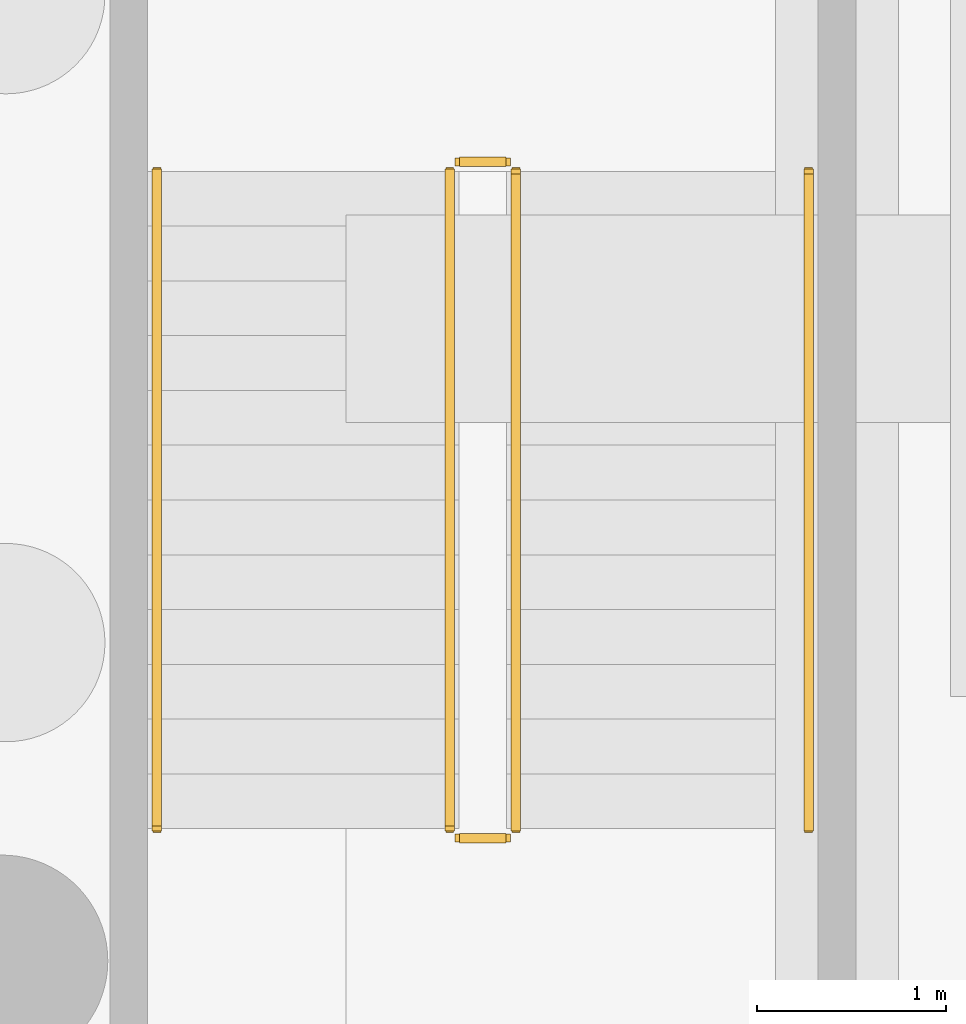
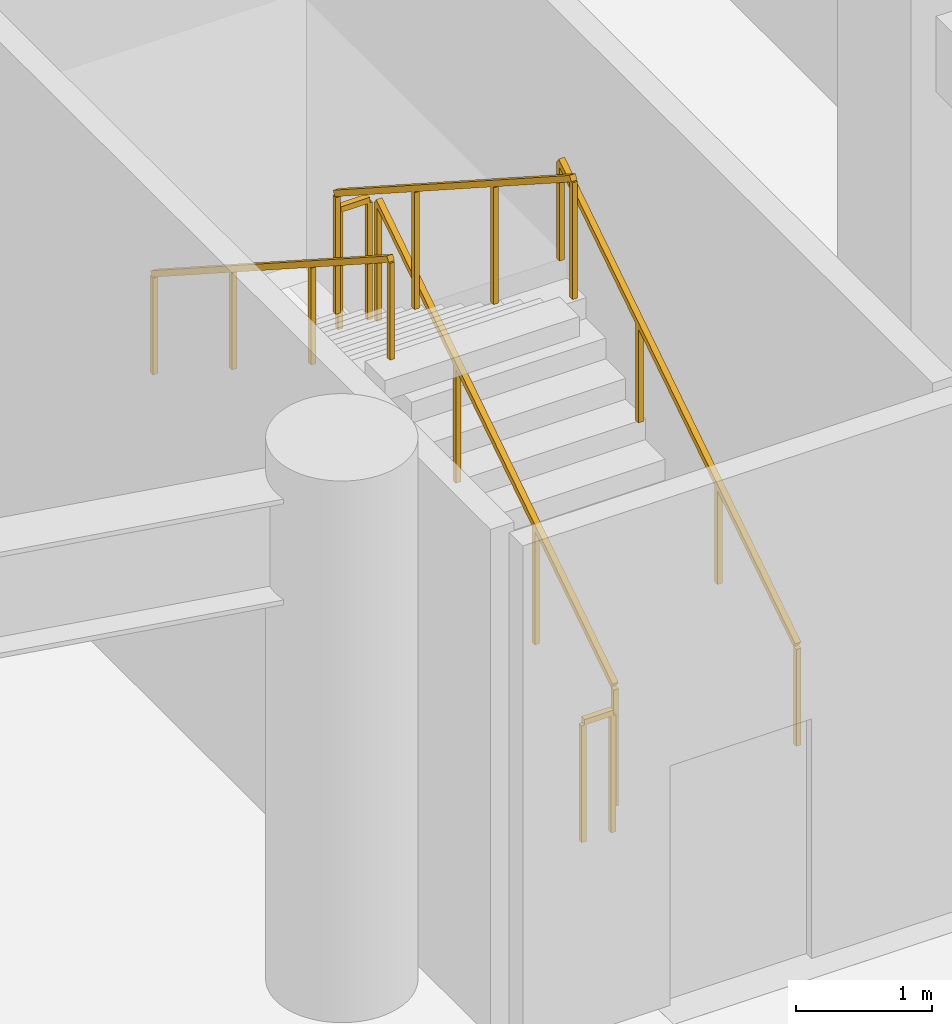
# One storey, part 10 of 11: 6 railings.
"""IFC4 building model written with IfcOpenShell, lengths in metres."""

from ifc_helpers import new_model, si_unit, derived_unit, direction, frame, origin, origin_2d, place, context, subcontext, project, spatial, rectangle, extrude, material, type_object, element, save


model = new_model("IFC4")

# Units and contexts
model_context = context("Model", 3, precision=1e-05, world=origin(), true_north=direction((0.0, 1.0)))
body_context = subcontext(model_context, "Body", "Model", "MODEL_VIEW")
ifc_project = project(units=[si_unit("LENGTHUNIT", "METRE"), si_unit("AREAUNIT", "SQUARE_METRE"), si_unit("VOLUMEUNIT", "CUBIC_METRE"), si_unit("PLANEANGLEUNIT", "RADIAN"), si_unit("MASSUNIT", "GRAM", prefix="KILO"), derived_unit("THERMALTRANSMITTANCEUNIT", [(si_unit("POWERUNIT", "WATT"), 1), (si_unit("LENGTHUNIT", "METRE"), -2), (si_unit("THERMODYNAMICTEMPERATUREUNIT", "KELVIN"), -1)])], contexts=[model_context])

# Site, building, storey
site_placement = place(None, origin())
site = spatial("IfcSite", under=ifc_project, at=site_placement, CompositionType="ELEMENT")
building_placement = place(site_placement, origin())
building = spatial("IfcBuilding", under=site, at=building_placement, Name="Koralith Skygarden Medical Center", CompositionType="ELEMENT")
storey_placement = place(building_placement, frame((0.0, 0.0, -9.719970703125)))
storey = spatial("IfcBuildingStorey", under=building, at=storey_placement, Name="B2", CompositionType="ELEMENT", Elevation=-9.719970703125)

# Railings
ifc_material = material(Name="Steel ASTM A500 Grade C", Category="steel")
railing_type_1 = type_object("IfcRailingType", Name="Stair Flight Tubular Handrail 920", PredefinedType="HANDRAIL", material=ifc_material)
railing_1_placement = place(storey_placement, frame((68.64990234375, 23.199951171875, 0.18701171875)))
element("IfcRailing", 1, at=railing_1_placement, inside=storey, type_object=railing_type_1, Name="B2 ST5 stair handrail 1", PredefinedType="HANDRAIL", context=body_context, shape_type="SweptSolid", body=[
    extrude(rectangle(XDim=0.050048828125, YDim=0.050048828125, at=origin_2d()), frame((0.0, 0.001708984375, 0.89599609375), z_axis=(0.0, 0.840541796355, 0.541746701495), x_axis=(-1.0, 0.0, 0.0)), (0.0, 0.0, 1.0), 4.13623046875),
    extrude(rectangle(XDim=0.0419921875, YDim=0.0419921875, at=origin_2d()), origin(), (0.0, 0.0, 1.0), 0.867919921875),
    extrude(rectangle(XDim=0.0419921875, YDim=0.0419921875, at=origin_2d()), frame((0.0, 1.159912109375, 0.74755859375)), (0.0, 0.0, 1.0), 0.867919921875),
    extrude(rectangle(XDim=0.0419921875, YDim=0.0419921875, at=origin_2d()), frame((0.0, 2.320068359375, 1.495361328125)), (0.0, 0.0, 1.0), 0.867919921875),
    extrude(rectangle(XDim=0.0419921875, YDim=0.0419921875, at=origin_2d()), frame((0.0, 3.47998046875, 2.242919921875)), (0.0, 0.0, 1.0), 0.867919921875),
])
railing_2_placement = place(storey_placement, frame((65.199951171875, 26.679931640625, 2.616943359375)))
element("IfcRailing", 2, at=railing_2_placement, inside=storey, type_object=railing_type_1, Name="B2 ST5 stair handrail 2", PredefinedType="HANDRAIL", context=body_context, shape_type="SweptSolid", body=[
    extrude(rectangle(XDim=0.050048828125, YDim=0.050048828125, at=origin_2d()), frame((0.0, -0.001708984375, 0.89599609375), z_axis=(0.0, -0.840541796355, 0.541746701495), x_axis=(1.0, 0.0, 0.0)), (0.0, 0.0, 1.0), 4.13623046875),
    extrude(rectangle(XDim=0.0419921875, YDim=0.0419921875, at=origin_2d()), origin(), (0.0, 0.0, 1.0), 0.867919921875),
    extrude(rectangle(XDim=0.0419921875, YDim=0.0419921875, at=origin_2d()), frame((0.0, -1.159912109375, 0.74755859375)), (0.0, 0.0, 1.0), 0.867919921875),
    extrude(rectangle(XDim=0.0419921875, YDim=0.0419921875, at=origin_2d()), frame((0.0, -2.320068359375, 1.495361328125)), (0.0, 0.0, 1.0), 0.867919921875),
    extrude(rectangle(XDim=0.0419921875, YDim=0.0419921875, at=origin_2d()), frame((0.0, -3.47998046875, 2.242919921875)), (0.0, 0.0, 1.0), 0.867919921875),
])
railing_type_2 = type_object("IfcRailingType", Name="Stair Well Safety Guardrail 1100", PredefinedType="GUARDRAIL", material=ifc_material)
railing_3_placement = place(storey_placement, frame((67.10009765625, 23.199951171875, 0.18701171875)))
element("IfcRailing", 3, at=railing_3_placement, inside=storey, type_object=railing_type_2, Name="B2 ST5 stair guard 1", PredefinedType="GUARDRAIL", context=body_context, shape_type="SweptSolid", body=[
    extrude(rectangle(XDim=0.050048828125, YDim=0.050048828125, at=origin_2d()), frame((0.0, 0.001708984375, 1.076171875), z_axis=(0.0, 0.840541796355, 0.541746701495), x_axis=(-1.0, 0.0, 0.0)), (0.0, 0.0, 1.0), 4.13623046875),
    extrude(rectangle(XDim=0.0419921875, YDim=0.0419921875, at=origin_2d()), origin(), (0.0, 0.0, 1.0), 1.048095703125),
    extrude(rectangle(XDim=0.0419921875, YDim=0.0419921875, at=origin_2d()), frame((0.0, 1.159912109375, 0.74755859375)), (0.0, 0.0, 1.0), 1.048095703125),
    extrude(rectangle(XDim=0.0419921875, YDim=0.0419921875, at=origin_2d()), frame((0.0, 2.320068359375, 1.495361328125)), (0.0, 0.0, 1.0), 1.048095703125),
    extrude(rectangle(XDim=0.0419921875, YDim=0.0419921875, at=origin_2d()), frame((0.0, 3.47998046875, 2.242919921875)), (0.0, 0.0, 1.0), 1.048095703125),
])
railing_4_placement = place(storey_placement, frame((67.050048828125, 26.72998046875, 2.429931640625)))
element("IfcRailing", 4, at=railing_4_placement, inside=storey, type_object=railing_type_2, Name="B2 ST5 stair guard 2", PredefinedType="GUARDRAIL", context=body_context, shape_type="SweptSolid", body=[
    extrude(rectangle(XDim=0.050048828125, YDim=0.050048828125, at=origin_2d()), frame((-0.001953125, 0.0, 1.0751953125), z_axis=(-1.0, 0.0, 0.0), x_axis=(0.0, -1.0, 0.0)), (0.0, 0.0, 1.0), 0.24609375),
    extrude(rectangle(XDim=0.0419921875, YDim=0.0419921875, at=origin_2d()), origin(), (0.0, 0.0, 1.0), 1.048095703125),
    extrude(rectangle(XDim=0.0419921875, YDim=0.0419921875, at=origin_2d()), frame((-0.25, 0.0, 0.0)), (0.0, 0.0, 1.0), 1.048095703125),
])
railing_5_placement = place(storey_placement, frame((66.75, 26.679931640625, 2.616943359375)))
element("IfcRailing", 5, at=railing_5_placement, inside=storey, type_object=railing_type_2, Name="B2 ST5 stair guard 3", PredefinedType="GUARDRAIL", context=body_context, shape_type="SweptSolid", body=[
    extrude(rectangle(XDim=0.050048828125, YDim=0.050048828125, at=origin_2d()), frame((0.0, -0.001708984375, 1.076171875), z_axis=(0.0, -0.840541796355, 0.541746701495), x_axis=(1.0, 0.0, 0.0)), (0.0, 0.0, 1.0), 4.13623046875),
    extrude(rectangle(XDim=0.0419921875, YDim=0.0419921875, at=origin_2d()), origin(), (0.0, 0.0, 1.0), 1.048095703125),
    extrude(rectangle(XDim=0.0419921875, YDim=0.0419921875, at=origin_2d()), frame((0.0, -1.159912109375, 0.74755859375)), (0.0, 0.0, 1.0), 1.048095703125),
    extrude(rectangle(XDim=0.0419921875, YDim=0.0419921875, at=origin_2d()), frame((0.0, -2.320068359375, 1.495361328125)), (0.0, 0.0, 1.0), 1.048095703125),
    extrude(rectangle(XDim=0.0419921875, YDim=0.0419921875, at=origin_2d()), frame((0.0, -3.47998046875, 2.242919921875)), (0.0, 0.0, 1.0), 1.048095703125),
])
railing_6_placement = place(storey_placement, frame((67.050048828125, 23.14990234375, 0.0)))
element("IfcRailing", 6, at=railing_6_placement, inside=storey, type_object=railing_type_2, Name="B2 ST5 stair guard 4", PredefinedType="GUARDRAIL", context=body_context, shape_type="SweptSolid", body=[
    extrude(rectangle(XDim=0.050048828125, YDim=0.050048828125, at=origin_2d()), frame((-0.001953125, 0.0, 1.0751953125), z_axis=(-1.0, 0.0, 0.0), x_axis=(0.0, -1.0, 0.0)), (0.0, 0.0, 1.0), 0.24609375),
    extrude(rectangle(XDim=0.0419921875, YDim=0.0419921875, at=origin_2d()), origin(), (0.0, 0.0, 1.0), 1.048095703125),
    extrude(rectangle(XDim=0.0419921875, YDim=0.0419921875, at=origin_2d()), frame((-0.25, 0.0, 0.0)), (0.0, 0.0, 1.0), 1.048095703125),
])

save(model, "model.ifc")
